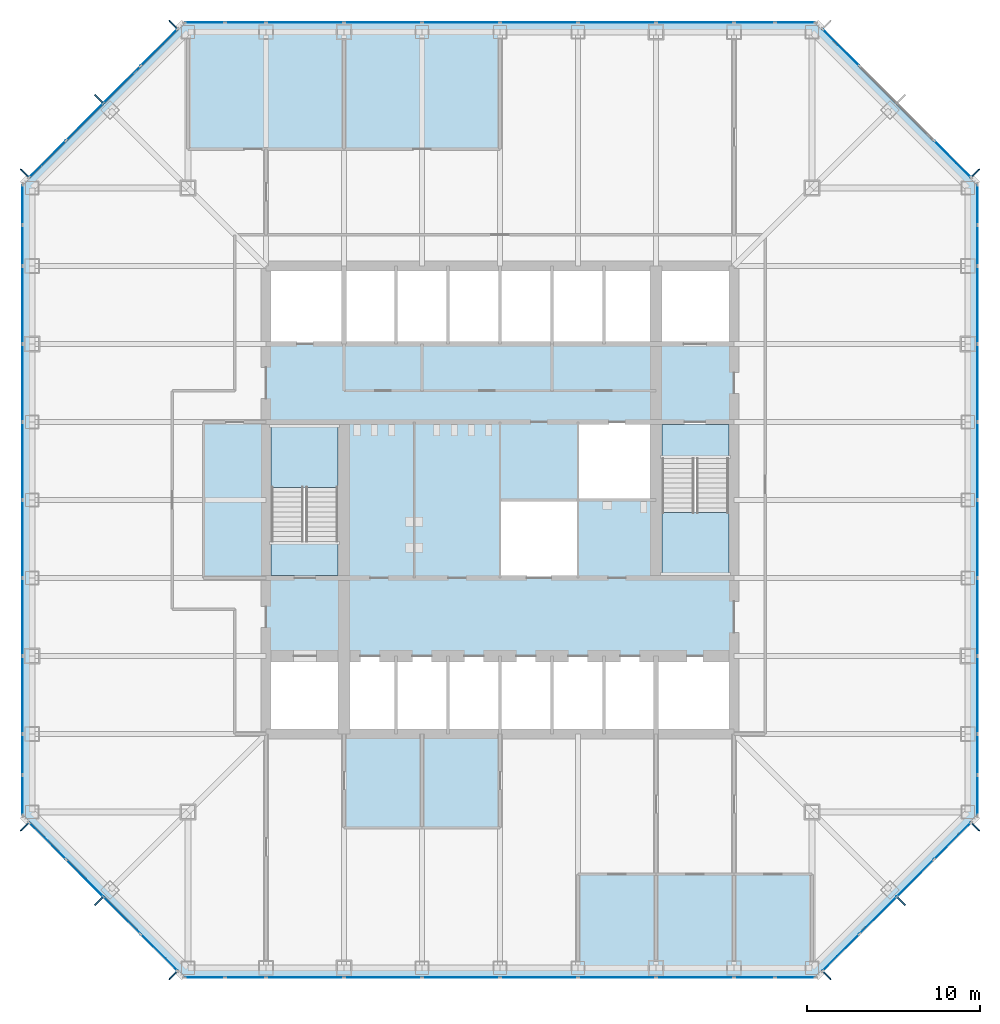
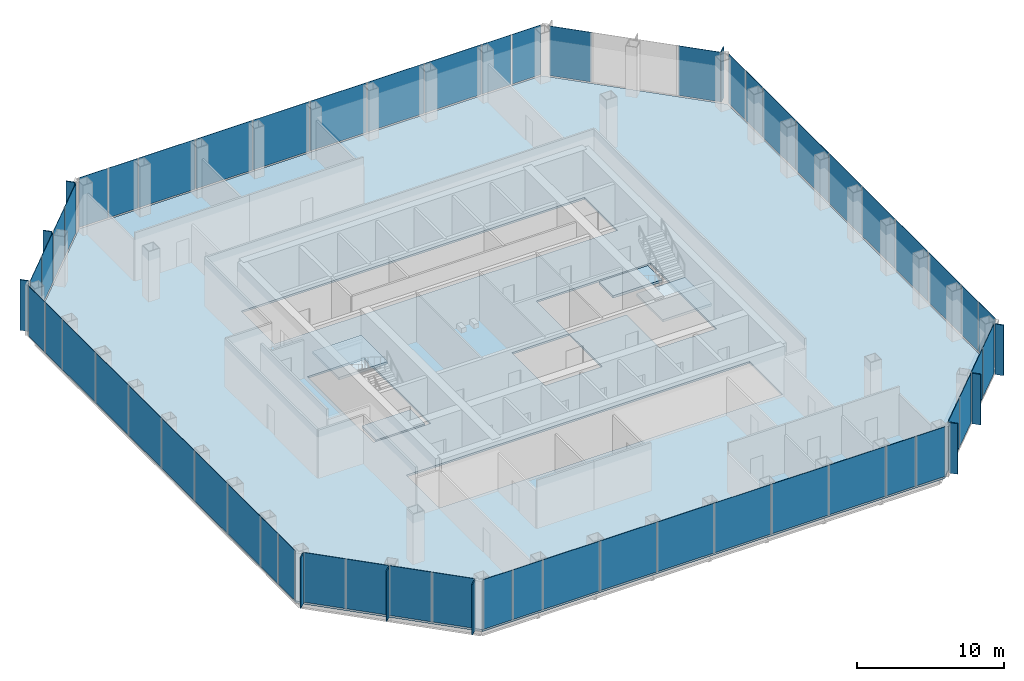
# One storey, part 7 of 12: 64 plates, 5 slabs, 10 elements without a shape of their own.
"""IFC4 building model written with IfcOpenShell, lengths in metres."""

from ifc_helpers import new_model, si_unit, direction, frame, origin, origin_2d, place, context, subcontext, project, spatial, polyline, rectangle, outline, extrude, material, layer, layer_set, type_object, element, aggregate, save


model = new_model("IFC4")

# Units and contexts
model_context = context("Model", 3, precision=1e-05, world=origin(), true_north=direction((0.0, 1.0)))
body_context = subcontext(model_context, "Body", "Model", "MODEL_VIEW")
ifc_project = project(units=[si_unit("LENGTHUNIT", "METRE"), si_unit("AREAUNIT", "SQUARE_METRE"), si_unit("VOLUMEUNIT", "CUBIC_METRE"), si_unit("PLANEANGLEUNIT", "RADIAN"), si_unit("MASSUNIT", "GRAM", prefix="KILO")], contexts=[model_context])

# Site, building, storey
site_placement = place(None, origin())
site = spatial("IfcSite", under=ifc_project, at=site_placement, CompositionType="ELEMENT")
building_placement = place(site_placement, origin())
building = spatial("IfcBuilding", under=site, at=building_placement, Name="Corais Broadcast Tower", CompositionType="ELEMENT")
storey_placement = place(building_placement, frame((0.0, 0.0, 45.800048828125)))
storey = spatial("IfcBuildingStorey", under=building, at=storey_placement, Name="L09", CompositionType="ELEMENT", Elevation=45.800048828125)

# Slab
ifc_material_1 = material(Name="Concrete C30/37", Category="concrete")
ifc_layer_1 = layer(ifc_material_1, 0.159912109375)
ifc_layer_set_1 = layer_set([ifc_layer_1], Name="Concrete C30/37")
slab_type_1 = type_object("IfcSlabType", Name="Composite floor slab 160", PredefinedType="FLOOR", material=ifc_layer_set_1)
slab_1_placement = place(storey_placement, frame((0.0, 0.0, -0.16015625)))
element("IfcSlab", 1, at=slab_1_placement, inside=storey, type_object=slab_type_1, Name="S160 floor slab L09", PredefinedType="FLOOR", context=body_context, shape_type="SweptSolid", body=[
    extrude(outline(polyline([(8.80126953125, -0.47998046875), (-0.47998046875, 8.80126953125), (-0.47998046875, 45.19873046875), (8.80126953125, 54.47998046875), (45.19873046875, 54.47998046875), (54.47998046875, 45.19873046875), (54.47998046875, 8.80126953125), (45.19873046875, -0.47998046875), (8.80126953125, -0.47998046875)]), holes=[polyline([(13.5, 18.0), (40.5, 18.0), (40.5, 13.5), (13.5, 13.5), (13.5, 18.0)]), polyline([(13.5, 22.5), (13.5, 31.5), (18.0, 31.5), (18.0, 22.5), (13.5, 22.5)]), polyline([(13.5, 40.5), (40.5, 40.5), (40.5, 36.0), (13.5, 36.0), (13.5, 40.5)]), polyline([(27.0, 22.5), (27.0, 27.0), (31.4951171875, 27.0), (31.4951171875, 27.0048828125), (31.5, 27.0048828125), (31.5, 31.5), (40.5, 31.5), (40.5, 22.5), (36.0, 22.5), (36.0, 27.0), (31.5048828125, 27.0), (31.5048828125, 26.9951171875), (31.5, 26.9951171875), (31.5, 22.5), (27.0, 22.5)])]), origin(), (0.0, 0.0, 1.0), 0.16015625),
])

# Curtain wall, plates
ifc_material_2 = material(Name="Aluminium and glass", Category="aluminium")
curtain_wall_type = type_object("IfcCurtainWallType", Name="Unitised fritted curtain wall CW1", PredefinedType="NOTDEFINED", material=ifc_material_2)
curtain_wall_1_placement = place(storey_placement, origin())
curtain_wall_1 = element("IfcCurtainWall", 2, at=curtain_wall_1_placement, inside=storey, type_object=curtain_wall_type, Name="CW1 curtain wall L09 1", PredefinedType="NOTDEFINED")
ifc_material_3 = material(Name="Ceramic-fritted laminated glass", Category="glass")
ifc_layer_2 = layer(ifc_material_3, 0.030029296875)
ifc_layer_set_2 = layer_set([ifc_layer_2], Name="Ceramic-fritted laminated glass")
plate_type_1 = type_object("IfcPlateType", Name="Fritted glass panel CW1", PredefinedType="CURTAIN_PANEL", material=ifc_layer_set_2)
plate_1_placement = place(storey_placement, frame((7.330322265625, 0.891845703125, 0.06494140625), z_axis=(0.0, 0.0, 1.0), x_axis=(-0.707106781187, 0.707106781187, 0.0)))
plate_1 = element("IfcPlate", 3, at=plate_1_placement, type_object=plate_type_1, Name="CW1 panel 1", PredefinedType="CURTAIN_PANEL", context=body_context, shape_type="SweptSolid", body=[
    extrude(rectangle(XDim=2.9482421875, YDim=0.030029296875, at=origin_2d()), origin(), (0.0, 0.0, 1.0), 4.135009765625),
])
plate_2_placement = place(storey_placement, frame((3.0341796875, 5.18798828125, 0.06494140625), z_axis=(0.0, 0.0, 1.0), x_axis=(-0.707106781187, 0.707106781187, 0.0)))
plate_2 = element("IfcPlate", 4, at=plate_2_placement, type_object=plate_type_1, Name="CW1 panel 3", PredefinedType="CURTAIN_PANEL", context=body_context, shape_type="SweptSolid", body=[
    extrude(rectangle(XDim=2.98095703125, YDim=0.030029296875, at=origin_2d()), origin(), (0.0, 0.0, 1.0), 4.135009765625),
])

curtain_wall_2_placement = place(storey_placement, origin())
curtain_wall_2 = element("IfcCurtainWall", 5, at=curtain_wall_2_placement, inside=storey, type_object=curtain_wall_type, Name="CW1 curtain wall L09 2", PredefinedType="NOTDEFINED")
plate_3_placement = place(storey_placement, frame((-0.550048828125, 9.970458984375, 0.06494140625), z_axis=(0.0, 0.0, 1.0), x_axis=(0.0, 1.0, 0.0)))
plate_3 = element("IfcPlate", 6, at=plate_3_placement, type_object=plate_type_1, Name="CW1 panel 1", PredefinedType="CURTAIN_PANEL", context=body_context, shape_type="SweptSolid", body=[
    extrude(rectangle(XDim=2.266357421875, YDim=0.030029296875, at=origin_2d()), origin(), (0.0, 0.0, 1.0), 4.135009765625),
])
plate_4_placement = place(storey_placement, frame((-0.550048828125, 15.75, 0.06494140625), z_axis=(0.0, 0.0, 1.0), x_axis=(0.0, 1.0, 0.0)))
plate_4 = element("IfcPlate", 7, at=plate_4_placement, type_object=plate_type_1, Name="CW1 panel 3", PredefinedType="CURTAIN_PANEL", context=body_context, shape_type="SweptSolid", body=[
    extrude(rectangle(XDim=4.43505859375, YDim=0.030029296875, at=origin_2d()), origin(), (0.0, 0.0, 1.0), 4.135009765625),
])
plate_5_placement = place(storey_placement, frame((-0.550048828125, 24.75, 0.06494140625), z_axis=(0.0, 0.0, 1.0), x_axis=(0.0, 1.0, 0.0)))
plate_5 = element("IfcPlate", 8, at=plate_5_placement, type_object=plate_type_1, Name="CW1 panel 5", PredefinedType="CURTAIN_PANEL", context=body_context, shape_type="SweptSolid", body=[
    extrude(rectangle(XDim=4.43505859375, YDim=0.030029296875, at=origin_2d()), origin(), (0.0, 0.0, 1.0), 4.135009765625),
])
plate_6_placement = place(storey_placement, frame((-0.550048828125, 33.75, 0.06494140625), z_axis=(0.0, 0.0, 1.0), x_axis=(0.0, 1.0, 0.0)))
plate_6 = element("IfcPlate", 9, at=plate_6_placement, type_object=plate_type_1, Name="CW1 panel 7", PredefinedType="CURTAIN_PANEL", context=body_context, shape_type="SweptSolid", body=[
    extrude(rectangle(XDim=4.43505859375, YDim=0.030029296875, at=origin_2d()), origin(), (0.0, 0.0, 1.0), 4.135009765625),
])
plate_7_placement = place(storey_placement, frame((-0.550048828125, 41.681884765625, 0.06494140625), z_axis=(0.0, 0.0, 1.0), x_axis=(0.0, 1.0, 0.0)))
plate_7 = element("IfcPlate", 10, at=plate_7_placement, type_object=plate_type_1, Name="CW1 panel 9", PredefinedType="CURTAIN_PANEL", context=body_context, shape_type="SweptSolid", body=[
    extrude(rectangle(XDim=2.298828125, YDim=0.030029296875, at=origin_2d()), origin(), (0.0, 0.0, 1.0), 4.135009765625),
])

curtain_wall_3_placement = place(storey_placement, origin())
curtain_wall_3 = element("IfcCurtainWall", 11, at=curtain_wall_3_placement, inside=storey, type_object=curtain_wall_type, Name="CW1 curtain wall L09 3", PredefinedType="NOTDEFINED")
plate_8_placement = place(storey_placement, frame((0.891845703125, 46.669677734375, 0.06494140625), z_axis=(0.0, 0.0, 1.0), x_axis=(0.707106781187, 0.707106781187, 0.0)))
plate_8 = element("IfcPlate", 12, at=plate_8_placement, type_object=plate_type_1, Name="CW1 panel 1", PredefinedType="CURTAIN_PANEL", context=body_context, shape_type="SweptSolid", body=[
    extrude(rectangle(XDim=2.9482421875, YDim=0.030029296875, at=origin_2d()), origin(), (0.0, 0.0, 1.0), 4.135009765625),
])
plate_9_placement = place(storey_placement, frame((5.18798828125, 50.9658203125, 0.06494140625), z_axis=(0.0, 0.0, 1.0), x_axis=(0.707106781187, 0.707106781187, 0.0)))
plate_9 = element("IfcPlate", 13, at=plate_9_placement, type_object=plate_type_1, Name="CW1 panel 3", PredefinedType="CURTAIN_PANEL", context=body_context, shape_type="SweptSolid", body=[
    extrude(rectangle(XDim=2.98095703125, YDim=0.030029296875, at=origin_2d()), origin(), (0.0, 0.0, 1.0), 4.135009765625),
])

curtain_wall_4_placement = place(storey_placement, origin())
curtain_wall_4 = element("IfcCurtainWall", 14, at=curtain_wall_4_placement, inside=storey, type_object=curtain_wall_type, Name="CW1 curtain wall L09 4", PredefinedType="NOTDEFINED")
plate_10_placement = place(storey_placement, frame((9.970458984375, 54.550048828125, 0.06494140625), z_axis=(0.0, 0.0, 1.0), x_axis=(1.0, 0.0, 0.0)))
plate_10 = element("IfcPlate", 15, at=plate_10_placement, type_object=plate_type_1, Name="CW1 panel 1", PredefinedType="CURTAIN_PANEL", context=body_context, shape_type="SweptSolid", body=[
    extrude(rectangle(XDim=2.266357421875, YDim=0.030029296875, at=origin_2d()), origin(), (0.0, 0.0, 1.0), 4.135009765625),
])
plate_11_placement = place(storey_placement, frame((15.75, 54.550048828125, 0.06494140625), z_axis=(0.0, 0.0, 1.0), x_axis=(1.0, 0.0, 0.0)))
plate_11 = element("IfcPlate", 16, at=plate_11_placement, type_object=plate_type_1, Name="CW1 panel 3", PredefinedType="CURTAIN_PANEL", context=body_context, shape_type="SweptSolid", body=[
    extrude(rectangle(XDim=4.43505859375, YDim=0.030029296875, at=origin_2d()), origin(), (0.0, 0.0, 1.0), 4.135009765625),
])
plate_12_placement = place(storey_placement, frame((24.75, 54.550048828125, 0.06494140625), z_axis=(0.0, 0.0, 1.0), x_axis=(1.0, 0.0, 0.0)))
plate_12 = element("IfcPlate", 17, at=plate_12_placement, type_object=plate_type_1, Name="CW1 panel 5", PredefinedType="CURTAIN_PANEL", context=body_context, shape_type="SweptSolid", body=[
    extrude(rectangle(XDim=4.43505859375, YDim=0.030029296875, at=origin_2d()), origin(), (0.0, 0.0, 1.0), 4.135009765625),
])
plate_13_placement = place(storey_placement, frame((33.75, 54.550048828125, 0.06494140625), z_axis=(0.0, 0.0, 1.0), x_axis=(1.0, 0.0, 0.0)))
plate_13 = element("IfcPlate", 18, at=plate_13_placement, type_object=plate_type_1, Name="CW1 panel 7", PredefinedType="CURTAIN_PANEL", context=body_context, shape_type="SweptSolid", body=[
    extrude(rectangle(XDim=4.43505859375, YDim=0.030029296875, at=origin_2d()), origin(), (0.0, 0.0, 1.0), 4.135009765625),
])
plate_14_placement = place(storey_placement, frame((41.681884765625, 54.550048828125, 0.06494140625), z_axis=(0.0, 0.0, 1.0), x_axis=(1.0, 0.0, 0.0)))
plate_14 = element("IfcPlate", 19, at=plate_14_placement, type_object=plate_type_1, Name="CW1 panel 9", PredefinedType="CURTAIN_PANEL", context=body_context, shape_type="SweptSolid", body=[
    extrude(rectangle(XDim=2.298828125, YDim=0.030029296875, at=origin_2d()), origin(), (0.0, 0.0, 1.0), 4.135009765625),
])

# Curtain wall, plate
curtain_wall_5_placement = place(storey_placement, origin())
curtain_wall_5 = element("IfcCurtainWall", 20, at=curtain_wall_5_placement, inside=storey, type_object=curtain_wall_type, Name="CW1 curtain wall L09 5", PredefinedType="NOTDEFINED")
plate_15_placement = place(storey_placement, frame((46.669677734375, 53.108154296875, 0.06494140625), z_axis=(0.0, 0.0, 1.0), x_axis=(0.707106781187, -0.707106781187, 0.0)))
plate_15 = element("IfcPlate", 21, at=plate_15_placement, type_object=plate_type_1, Name="CW1 panel 1", PredefinedType="CURTAIN_PANEL", context=body_context, shape_type="SweptSolid", body=[
    extrude(rectangle(XDim=2.9482421875, YDim=0.030029296875, at=origin_2d()), origin(), (0.0, 0.0, 1.0), 4.135009765625),
])

# Curtain wall, plates
curtain_wall_6_placement = place(storey_placement, origin())
curtain_wall_6 = element("IfcCurtainWall", 22, at=curtain_wall_6_placement, inside=storey, type_object=curtain_wall_type, Name="CW1 curtain wall L09 6", PredefinedType="NOTDEFINED")
plate_16_placement = place(storey_placement, frame((54.550048828125, 44.029541015625, 0.06494140625), z_axis=(0.0, 0.0, 1.0), x_axis=(0.0, -1.0, 0.0)))
plate_16 = element("IfcPlate", 23, at=plate_16_placement, type_object=plate_type_1, Name="CW1 panel 1", PredefinedType="CURTAIN_PANEL", context=body_context, shape_type="SweptSolid", body=[
    extrude(rectangle(XDim=2.266357421875, YDim=0.030029296875, at=origin_2d()), origin(), (0.0, 0.0, 1.0), 4.135009765625),
])
plate_17_placement = place(storey_placement, frame((54.550048828125, 38.25, 0.06494140625), z_axis=(0.0, 0.0, 1.0), x_axis=(0.0, -1.0, 0.0)))
plate_17 = element("IfcPlate", 24, at=plate_17_placement, type_object=plate_type_1, Name="CW1 panel 3", PredefinedType="CURTAIN_PANEL", context=body_context, shape_type="SweptSolid", body=[
    extrude(rectangle(XDim=4.43505859375, YDim=0.030029296875, at=origin_2d()), origin(), (0.0, 0.0, 1.0), 4.135009765625),
])
plate_18_placement = place(storey_placement, frame((54.550048828125, 29.25, 0.06494140625), z_axis=(0.0, 0.0, 1.0), x_axis=(0.0, -1.0, 0.0)))
plate_18 = element("IfcPlate", 25, at=plate_18_placement, type_object=plate_type_1, Name="CW1 panel 5", PredefinedType="CURTAIN_PANEL", context=body_context, shape_type="SweptSolid", body=[
    extrude(rectangle(XDim=4.43505859375, YDim=0.030029296875, at=origin_2d()), origin(), (0.0, 0.0, 1.0), 4.135009765625),
])
plate_19_placement = place(storey_placement, frame((54.550048828125, 20.25, 0.06494140625), z_axis=(0.0, 0.0, 1.0), x_axis=(0.0, -1.0, 0.0)))
plate_19 = element("IfcPlate", 26, at=plate_19_placement, type_object=plate_type_1, Name="CW1 panel 7", PredefinedType="CURTAIN_PANEL", context=body_context, shape_type="SweptSolid", body=[
    extrude(rectangle(XDim=4.43505859375, YDim=0.030029296875, at=origin_2d()), origin(), (0.0, 0.0, 1.0), 4.135009765625),
])
plate_20_placement = place(storey_placement, frame((54.550048828125, 12.318115234375, 0.06494140625), z_axis=(0.0, 0.0, 1.0), x_axis=(0.0, -1.0, 0.0)))
plate_20 = element("IfcPlate", 27, at=plate_20_placement, type_object=plate_type_1, Name="CW1 panel 9", PredefinedType="CURTAIN_PANEL", context=body_context, shape_type="SweptSolid", body=[
    extrude(rectangle(XDim=2.298828125, YDim=0.030029296875, at=origin_2d()), origin(), (0.0, 0.0, 1.0), 4.135009765625),
])

curtain_wall_7_placement = place(storey_placement, origin())
curtain_wall_7 = element("IfcCurtainWall", 28, at=curtain_wall_7_placement, inside=storey, type_object=curtain_wall_type, Name="CW1 curtain wall L09 7", PredefinedType="NOTDEFINED")
plate_21_placement = place(storey_placement, frame((53.108154296875, 7.330322265625, 0.06494140625), z_axis=(0.0, 0.0, 1.0), x_axis=(-0.707106781187, -0.707106781187, 0.0)))
plate_21 = element("IfcPlate", 29, at=plate_21_placement, type_object=plate_type_1, Name="CW1 panel 1", PredefinedType="CURTAIN_PANEL", context=body_context, shape_type="SweptSolid", body=[
    extrude(rectangle(XDim=2.9482421875, YDim=0.030029296875, at=origin_2d()), origin(), (0.0, 0.0, 1.0), 4.135009765625),
])
plate_22_placement = place(storey_placement, frame((48.81201171875, 3.0341796875, 0.06494140625), z_axis=(0.0, 0.0, 1.0), x_axis=(-0.707106781187, -0.707106781187, 0.0)))
plate_22 = element("IfcPlate", 30, at=plate_22_placement, type_object=plate_type_1, Name="CW1 panel 3", PredefinedType="CURTAIN_PANEL", context=body_context, shape_type="SweptSolid", body=[
    extrude(rectangle(XDim=2.98095703125, YDim=0.030029296875, at=origin_2d()), origin(), (0.0, 0.0, 1.0), 4.135009765625),
])

curtain_wall_8_placement = place(storey_placement, origin())
curtain_wall_8 = element("IfcCurtainWall", 31, at=curtain_wall_8_placement, inside=storey, type_object=curtain_wall_type, Name="CW1 curtain wall L09 8", PredefinedType="NOTDEFINED")
plate_23_placement = place(storey_placement, frame((44.029541015625, -0.550048828125, 0.06494140625), z_axis=(0.0, 0.0, 1.0), x_axis=(-1.0, 0.0, 0.0)))
plate_23 = element("IfcPlate", 32, at=plate_23_placement, type_object=plate_type_1, Name="CW1 panel 1", PredefinedType="CURTAIN_PANEL", context=body_context, shape_type="SweptSolid", body=[
    extrude(rectangle(XDim=2.266357421875, YDim=0.030029296875, at=origin_2d()), origin(), (0.0, 0.0, 1.0), 4.135009765625),
])
plate_24_placement = place(storey_placement, frame((38.25, -0.550048828125, 0.06494140625), z_axis=(0.0, 0.0, 1.0), x_axis=(-1.0, 0.0, 0.0)))
plate_24 = element("IfcPlate", 33, at=plate_24_placement, type_object=plate_type_1, Name="CW1 panel 3", PredefinedType="CURTAIN_PANEL", context=body_context, shape_type="SweptSolid", body=[
    extrude(rectangle(XDim=4.43505859375, YDim=0.030029296875, at=origin_2d()), origin(), (0.0, 0.0, 1.0), 4.135009765625),
])
plate_25_placement = place(storey_placement, frame((29.25, -0.550048828125, 0.06494140625), z_axis=(0.0, 0.0, 1.0), x_axis=(-1.0, 0.0, 0.0)))
plate_25 = element("IfcPlate", 34, at=plate_25_placement, type_object=plate_type_1, Name="CW1 panel 5", PredefinedType="CURTAIN_PANEL", context=body_context, shape_type="SweptSolid", body=[
    extrude(rectangle(XDim=4.43505859375, YDim=0.030029296875, at=origin_2d()), origin(), (0.0, 0.0, 1.0), 4.135009765625),
])
plate_26_placement = place(storey_placement, frame((20.25, -0.550048828125, 0.06494140625), z_axis=(0.0, 0.0, 1.0), x_axis=(-1.0, 0.0, 0.0)))
plate_26 = element("IfcPlate", 35, at=plate_26_placement, type_object=plate_type_1, Name="CW1 panel 7", PredefinedType="CURTAIN_PANEL", context=body_context, shape_type="SweptSolid", body=[
    extrude(rectangle(XDim=4.43505859375, YDim=0.030029296875, at=origin_2d()), origin(), (0.0, 0.0, 1.0), 4.135009765625),
])
plate_27_placement = place(storey_placement, frame((12.318115234375, -0.550048828125, 0.06494140625), z_axis=(0.0, 0.0, 1.0), x_axis=(-1.0, 0.0, 0.0)))
plate_27 = element("IfcPlate", 36, at=plate_27_placement, type_object=plate_type_1, Name="CW1 panel 9", PredefinedType="CURTAIN_PANEL", context=body_context, shape_type="SweptSolid", body=[
    extrude(rectangle(XDim=2.298828125, YDim=0.030029296875, at=origin_2d()), origin(), (0.0, 0.0, 1.0), 4.135009765625),
])

# Plate
ifc_material_4 = material(Name="Clear laminated glass", Category="glass")
ifc_layer_3 = layer(ifc_material_4, 0.033935546875)
ifc_layer_set_3 = layer_set([ifc_layer_3], Name="Clear laminated glass")
plate_type_2 = type_object("IfcPlateType", Name="Operable glass panel CW1", PredefinedType="CURTAIN_PANEL", material=ifc_layer_set_3)
plate_28_placement = place(storey_placement, frame((5.18798828125, 3.0341796875, 0.06494140625), z_axis=(0.0, 0.0, 1.0), x_axis=(-0.707106781187, 0.707106781187, 0.0)))
plate_28 = element("IfcPlate", 37, at=plate_28_placement, type_object=plate_type_2, Name="CW1 operable panel 2", PredefinedType="CURTAIN_PANEL", context=body_context, shape_type="SweptSolid", body=[
    extrude(rectangle(XDim=2.98095703125, YDim=0.033935546875, at=origin_2d()), origin(), (0.0, 0.0, 1.0), 4.135009765625),
])

plate_29_placement = place(storey_placement, frame((0.89208984375, 7.330322265625, 0.06494140625), z_axis=(0.0, 0.0, 1.0), x_axis=(-0.707106781187, 0.707106781187, 0.0)))
plate_29 = element("IfcPlate", 38, at=plate_29_placement, type_object=plate_type_2, Name="CW1 operable panel 4", PredefinedType="CURTAIN_PANEL", context=body_context, shape_type="SweptSolid", body=[
    extrude(rectangle(XDim=2.948486328125, YDim=0.033935546875, at=origin_2d()), origin(), (0.0, 0.0, 1.0), 4.135009765625),
])

aggregate(curtain_wall_1, [plate_1, plate_28, plate_2, plate_29])

plate_30_placement = place(storey_placement, frame((-0.550048828125, 12.318115234375, 0.06494140625), z_axis=(0.0, 0.0, 1.0), x_axis=(0.0, 1.0, 0.0)))
plate_30 = element("IfcPlate", 39, at=plate_30_placement, type_object=plate_type_2, Name="CW1 operable panel 2", PredefinedType="CURTAIN_PANEL", context=body_context, shape_type="SweptSolid", body=[
    extrude(rectangle(XDim=2.298828125, YDim=0.033935546875, at=origin_2d()), origin(), (0.0, 0.0, 1.0), 4.135009765625),
])

plate_31_placement = place(storey_placement, frame((-0.550048828125, 20.25, 0.06494140625), z_axis=(0.0, 0.0, 1.0), x_axis=(0.0, 1.0, 0.0)))
plate_31 = element("IfcPlate", 40, at=plate_31_placement, type_object=plate_type_2, Name="CW1 operable panel 4", PredefinedType="CURTAIN_PANEL", context=body_context, shape_type="SweptSolid", body=[
    extrude(rectangle(XDim=4.43505859375, YDim=0.033935546875, at=origin_2d()), origin(), (0.0, 0.0, 1.0), 4.135009765625),
])

plate_32_placement = place(storey_placement, frame((-0.550048828125, 29.25, 0.06494140625), z_axis=(0.0, 0.0, 1.0), x_axis=(0.0, 1.0, 0.0)))
plate_32 = element("IfcPlate", 41, at=plate_32_placement, type_object=plate_type_2, Name="CW1 operable panel 6", PredefinedType="CURTAIN_PANEL", context=body_context, shape_type="SweptSolid", body=[
    extrude(rectangle(XDim=4.43505859375, YDim=0.033935546875, at=origin_2d()), origin(), (0.0, 0.0, 1.0), 4.135009765625),
])

plate_33_placement = place(storey_placement, frame((-0.550048828125, 38.25, 0.06494140625), z_axis=(0.0, 0.0, 1.0), x_axis=(0.0, 1.0, 0.0)))
plate_33 = element("IfcPlate", 42, at=plate_33_placement, type_object=plate_type_2, Name="CW1 operable panel 8", PredefinedType="CURTAIN_PANEL", context=body_context, shape_type="SweptSolid", body=[
    extrude(rectangle(XDim=4.43505859375, YDim=0.033935546875, at=origin_2d()), origin(), (0.0, 0.0, 1.0), 4.135009765625),
])

plate_34_placement = place(storey_placement, frame((-0.550048828125, 44.029541015625, 0.06494140625), z_axis=(0.0, 0.0, 1.0), x_axis=(0.0, 1.0, 0.0)))
plate_34 = element("IfcPlate", 43, at=plate_34_placement, type_object=plate_type_2, Name="CW1 operable panel 10", PredefinedType="CURTAIN_PANEL", context=body_context, shape_type="SweptSolid", body=[
    extrude(rectangle(XDim=2.266357421875, YDim=0.033935546875, at=origin_2d()), origin(), (0.0, 0.0, 1.0), 4.135009765625),
])

aggregate(curtain_wall_2, [plate_3, plate_30, plate_4, plate_31, plate_5, plate_32, plate_6, plate_33, plate_7, plate_34])

plate_35_placement = place(storey_placement, frame((3.0341796875, 48.81201171875, 0.06494140625), z_axis=(0.0, 0.0, 1.0), x_axis=(0.707106781187, 0.707106781187, 0.0)))
plate_35 = element("IfcPlate", 44, at=plate_35_placement, type_object=plate_type_2, Name="CW1 operable panel 2", PredefinedType="CURTAIN_PANEL", context=body_context, shape_type="SweptSolid", body=[
    extrude(rectangle(XDim=2.98095703125, YDim=0.033935546875, at=origin_2d()), origin(), (0.0, 0.0, 1.0), 4.135009765625),
])

plate_36_placement = place(storey_placement, frame((7.330322265625, 53.10791015625, 0.06494140625), z_axis=(0.0, 0.0, 1.0), x_axis=(0.707106781187, 0.707106781187, 0.0)))
plate_36 = element("IfcPlate", 45, at=plate_36_placement, type_object=plate_type_2, Name="CW1 operable panel 4", PredefinedType="CURTAIN_PANEL", context=body_context, shape_type="SweptSolid", body=[
    extrude(rectangle(XDim=2.948486328125, YDim=0.033935546875, at=origin_2d()), origin(), (0.0, 0.0, 1.0), 4.135009765625),
])

aggregate(curtain_wall_3, [plate_8, plate_35, plate_9, plate_36])

plate_37_placement = place(storey_placement, frame((12.318115234375, 54.550048828125, 0.06494140625), z_axis=(0.0, 0.0, 1.0), x_axis=(1.0, 0.0, 0.0)))
plate_37 = element("IfcPlate", 46, at=plate_37_placement, type_object=plate_type_2, Name="CW1 operable panel 2", PredefinedType="CURTAIN_PANEL", context=body_context, shape_type="SweptSolid", body=[
    extrude(rectangle(XDim=2.298828125, YDim=0.033935546875, at=origin_2d()), origin(), (0.0, 0.0, 1.0), 4.135009765625),
])

plate_38_placement = place(storey_placement, frame((20.25, 54.550048828125, 0.06494140625), z_axis=(0.0, 0.0, 1.0), x_axis=(1.0, 0.0, 0.0)))
plate_38 = element("IfcPlate", 47, at=plate_38_placement, type_object=plate_type_2, Name="CW1 operable panel 4", PredefinedType="CURTAIN_PANEL", context=body_context, shape_type="SweptSolid", body=[
    extrude(rectangle(XDim=4.43505859375, YDim=0.033935546875, at=origin_2d()), origin(), (0.0, 0.0, 1.0), 4.135009765625),
])

plate_39_placement = place(storey_placement, frame((29.25, 54.550048828125, 0.06494140625), z_axis=(0.0, 0.0, 1.0), x_axis=(1.0, 0.0, 0.0)))
plate_39 = element("IfcPlate", 48, at=plate_39_placement, type_object=plate_type_2, Name="CW1 operable panel 6", PredefinedType="CURTAIN_PANEL", context=body_context, shape_type="SweptSolid", body=[
    extrude(rectangle(XDim=4.43505859375, YDim=0.033935546875, at=origin_2d()), origin(), (0.0, 0.0, 1.0), 4.135009765625),
])

plate_40_placement = place(storey_placement, frame((38.25, 54.550048828125, 0.06494140625), z_axis=(0.0, 0.0, 1.0), x_axis=(1.0, 0.0, 0.0)))
plate_40 = element("IfcPlate", 49, at=plate_40_placement, type_object=plate_type_2, Name="CW1 operable panel 8", PredefinedType="CURTAIN_PANEL", context=body_context, shape_type="SweptSolid", body=[
    extrude(rectangle(XDim=4.43505859375, YDim=0.033935546875, at=origin_2d()), origin(), (0.0, 0.0, 1.0), 4.135009765625),
])

plate_41_placement = place(storey_placement, frame((44.029541015625, 54.550048828125, 0.06494140625), z_axis=(0.0, 0.0, 1.0), x_axis=(1.0, 0.0, 0.0)))
plate_41 = element("IfcPlate", 50, at=plate_41_placement, type_object=plate_type_2, Name="CW1 operable panel 10", PredefinedType="CURTAIN_PANEL", context=body_context, shape_type="SweptSolid", body=[
    extrude(rectangle(XDim=2.266357421875, YDim=0.033935546875, at=origin_2d()), origin(), (0.0, 0.0, 1.0), 4.135009765625),
])

aggregate(curtain_wall_4, [plate_10, plate_37, plate_11, plate_38, plate_12, plate_39, plate_13, plate_40, plate_14, plate_41])

plate_42_placement = place(storey_placement, frame((53.10791015625, 46.669677734375, 0.06494140625), z_axis=(0.0, 0.0, 1.0), x_axis=(0.707106781187, -0.707106781187, 0.0)))
plate_42 = element("IfcPlate", 51, at=plate_42_placement, type_object=plate_type_2, Name="CW1 operable panel 4", PredefinedType="CURTAIN_PANEL", context=body_context, shape_type="SweptSolid", body=[
    extrude(rectangle(XDim=2.948486328125, YDim=0.033935546875, at=origin_2d()), origin(), (0.0, 0.0, 1.0), 4.135009765625),
])

aggregate(curtain_wall_5, [plate_15, plate_42])

plate_43_placement = place(storey_placement, frame((54.550048828125, 41.681884765625, 0.06494140625), z_axis=(0.0, 0.0, 1.0), x_axis=(0.0, -1.0, 0.0)))
plate_43 = element("IfcPlate", 52, at=plate_43_placement, type_object=plate_type_2, Name="CW1 operable panel 2", PredefinedType="CURTAIN_PANEL", context=body_context, shape_type="SweptSolid", body=[
    extrude(rectangle(XDim=2.298828125, YDim=0.033935546875, at=origin_2d()), origin(), (0.0, 0.0, 1.0), 4.135009765625),
])

plate_44_placement = place(storey_placement, frame((54.550048828125, 33.75, 0.06494140625), z_axis=(0.0, 0.0, 1.0), x_axis=(0.0, -1.0, 0.0)))
plate_44 = element("IfcPlate", 53, at=plate_44_placement, type_object=plate_type_2, Name="CW1 operable panel 4", PredefinedType="CURTAIN_PANEL", context=body_context, shape_type="SweptSolid", body=[
    extrude(rectangle(XDim=4.43505859375, YDim=0.033935546875, at=origin_2d()), origin(), (0.0, 0.0, 1.0), 4.135009765625),
])

plate_45_placement = place(storey_placement, frame((54.550048828125, 24.75, 0.06494140625), z_axis=(0.0, 0.0, 1.0), x_axis=(0.0, -1.0, 0.0)))
plate_45 = element("IfcPlate", 54, at=plate_45_placement, type_object=plate_type_2, Name="CW1 operable panel 6", PredefinedType="CURTAIN_PANEL", context=body_context, shape_type="SweptSolid", body=[
    extrude(rectangle(XDim=4.43505859375, YDim=0.033935546875, at=origin_2d()), origin(), (0.0, 0.0, 1.0), 4.135009765625),
])

plate_46_placement = place(storey_placement, frame((54.550048828125, 15.75, 0.06494140625), z_axis=(0.0, 0.0, 1.0), x_axis=(0.0, -1.0, 0.0)))
plate_46 = element("IfcPlate", 55, at=plate_46_placement, type_object=plate_type_2, Name="CW1 operable panel 8", PredefinedType="CURTAIN_PANEL", context=body_context, shape_type="SweptSolid", body=[
    extrude(rectangle(XDim=4.43505859375, YDim=0.033935546875, at=origin_2d()), origin(), (0.0, 0.0, 1.0), 4.135009765625),
])

plate_47_placement = place(storey_placement, frame((54.550048828125, 9.970458984375, 0.06494140625), z_axis=(0.0, 0.0, 1.0), x_axis=(0.0, -1.0, 0.0)))
plate_47 = element("IfcPlate", 56, at=plate_47_placement, type_object=plate_type_2, Name="CW1 operable panel 10", PredefinedType="CURTAIN_PANEL", context=body_context, shape_type="SweptSolid", body=[
    extrude(rectangle(XDim=2.266357421875, YDim=0.033935546875, at=origin_2d()), origin(), (0.0, 0.0, 1.0), 4.135009765625),
])

aggregate(curtain_wall_6, [plate_16, plate_43, plate_17, plate_44, plate_18, plate_45, plate_19, plate_46, plate_20, plate_47])

plate_48_placement = place(storey_placement, frame((50.9658203125, 5.18798828125, 0.06494140625), z_axis=(0.0, 0.0, 1.0), x_axis=(-0.707106781187, -0.707106781187, 0.0)))
plate_48 = element("IfcPlate", 57, at=plate_48_placement, type_object=plate_type_2, Name="CW1 operable panel 2", PredefinedType="CURTAIN_PANEL", context=body_context, shape_type="SweptSolid", body=[
    extrude(rectangle(XDim=2.98095703125, YDim=0.033935546875, at=origin_2d()), origin(), (0.0, 0.0, 1.0), 4.135009765625),
])

plate_49_placement = place(storey_placement, frame((46.669677734375, 0.89208984375, 0.06494140625), z_axis=(0.0, 0.0, 1.0), x_axis=(-0.707106781187, -0.707106781187, 0.0)))
plate_49 = element("IfcPlate", 58, at=plate_49_placement, type_object=plate_type_2, Name="CW1 operable panel 4", PredefinedType="CURTAIN_PANEL", context=body_context, shape_type="SweptSolid", body=[
    extrude(rectangle(XDim=2.948486328125, YDim=0.033935546875, at=origin_2d()), origin(), (0.0, 0.0, 1.0), 4.135009765625),
])

aggregate(curtain_wall_7, [plate_21, plate_48, plate_22, plate_49])

plate_50_placement = place(storey_placement, frame((41.681884765625, -0.550048828125, 0.06494140625), z_axis=(0.0, 0.0, 1.0), x_axis=(-1.0, 0.0, 0.0)))
plate_50 = element("IfcPlate", 59, at=plate_50_placement, type_object=plate_type_2, Name="CW1 operable panel 2", PredefinedType="CURTAIN_PANEL", context=body_context, shape_type="SweptSolid", body=[
    extrude(rectangle(XDim=2.298828125, YDim=0.033935546875, at=origin_2d()), origin(), (0.0, 0.0, 1.0), 4.135009765625),
])

plate_51_placement = place(storey_placement, frame((33.75, -0.550048828125, 0.06494140625), z_axis=(0.0, 0.0, 1.0), x_axis=(-1.0, 0.0, 0.0)))
plate_51 = element("IfcPlate", 60, at=plate_51_placement, type_object=plate_type_2, Name="CW1 operable panel 4", PredefinedType="CURTAIN_PANEL", context=body_context, shape_type="SweptSolid", body=[
    extrude(rectangle(XDim=4.43505859375, YDim=0.033935546875, at=origin_2d()), origin(), (0.0, 0.0, 1.0), 4.135009765625),
])

plate_52_placement = place(storey_placement, frame((24.75, -0.550048828125, 0.06494140625), z_axis=(0.0, 0.0, 1.0), x_axis=(-1.0, 0.0, 0.0)))
plate_52 = element("IfcPlate", 61, at=plate_52_placement, type_object=plate_type_2, Name="CW1 operable panel 6", PredefinedType="CURTAIN_PANEL", context=body_context, shape_type="SweptSolid", body=[
    extrude(rectangle(XDim=4.43505859375, YDim=0.033935546875, at=origin_2d()), origin(), (0.0, 0.0, 1.0), 4.135009765625),
])

plate_53_placement = place(storey_placement, frame((15.75, -0.550048828125, 0.06494140625), z_axis=(0.0, 0.0, 1.0), x_axis=(-1.0, 0.0, 0.0)))
plate_53 = element("IfcPlate", 62, at=plate_53_placement, type_object=plate_type_2, Name="CW1 operable panel 8", PredefinedType="CURTAIN_PANEL", context=body_context, shape_type="SweptSolid", body=[
    extrude(rectangle(XDim=4.43505859375, YDim=0.033935546875, at=origin_2d()), origin(), (0.0, 0.0, 1.0), 4.135009765625),
])

plate_54_placement = place(storey_placement, frame((9.970458984375, -0.550048828125, 0.06494140625), z_axis=(0.0, 0.0, 1.0), x_axis=(-1.0, 0.0, 0.0)))
plate_54 = element("IfcPlate", 63, at=plate_54_placement, type_object=plate_type_2, Name="CW1 operable panel 10", PredefinedType="CURTAIN_PANEL", context=body_context, shape_type="SweptSolid", body=[
    extrude(rectangle(XDim=2.266357421875, YDim=0.033935546875, at=origin_2d()), origin(), (0.0, 0.0, 1.0), 4.135009765625),
])

aggregate(curtain_wall_8, [plate_23, plate_50, plate_24, plate_51, plate_25, plate_52, plate_26, plate_53, plate_27, plate_54])

# Stair, slabs
ifc_material_5 = material(Name="Concrete C30/37", Category="concrete")
stair_type = type_object("IfcStairType", Name="Half-turn stair 4200", PredefinedType="HALF_TURN_STAIR", material=ifc_material_5)
stair_1_placement = place(storey_placement, origin())
stair_1 = element("IfcStair", 64, at=stair_1_placement, inside=storey, type_object=stair_type, Name="Stair A L09", PredefinedType="HALF_TURN_STAIR")
ifc_material_6 = material(Name="Concrete C30/37", Category="concrete")
ifc_layer_4 = layer(ifc_material_6, 0.199951171875)
ifc_layer_set_4 = layer_set([ifc_layer_4], Name="Concrete C30/37")
slab_type_2 = type_object("IfcSlabType", Name="Stair landing 200", PredefinedType="LANDING", material=ifc_layer_set_4)
slab_2_placement = place(storey_placement, frame((0.0, 0.0, -0.199951171875)))
slab_2 = element("IfcSlab", 65, at=slab_2_placement, type_object=slab_type_2, Name="STA landing 1", PredefinedType="LANDING", context=body_context, shape_type="SweptSolid", body=[
    extrude(outline(polyline([(13.800048828125, 22.64990234375), (17.64990234375, 22.64990234375), (17.64990234375, 24.60009765625), (13.800048828125, 24.60009765625), (13.800048828125, 22.64990234375)])), origin(), (0.0, 0.0, 1.0), 0.199951171875),
])
slab_3_placement = place(storey_placement, frame((0.0, 0.0, 1.89990234375)))
slab_3 = element("IfcSlab", 66, at=slab_3_placement, type_object=slab_type_2, Name="STA landing 2", PredefinedType="LANDING", context=body_context, shape_type="SweptSolid", body=[
    extrude(outline(polyline([(13.800048828125, 27.735107421875), (17.64990234375, 27.735107421875), (17.64990234375, 31.35009765625), (13.800048828125, 31.35009765625), (13.800048828125, 27.735107421875)])), origin(), (0.0, 0.0, 1.0), 0.199951171875),
])
aggregate(stair_1, [slab_2, slab_3])

stair_2_placement = place(storey_placement, origin())
stair_2 = element("IfcStair", 67, at=stair_2_placement, inside=storey, type_object=stair_type, Name="Stair B L09", PredefinedType="HALF_TURN_STAIR")
slab_4_placement = place(storey_placement, frame((0.0, 0.0, -0.199951171875)))
slab_4 = element("IfcSlab", 68, at=slab_4_placement, type_object=slab_type_2, Name="STB landing 1", PredefinedType="LANDING", context=body_context, shape_type="SweptSolid", body=[
    extrude(outline(polyline([(36.35009765625, 29.39990234375), (40.199951171875, 29.39990234375), (40.199951171875, 31.35009765625), (36.35009765625, 31.35009765625), (36.35009765625, 29.39990234375)])), origin(), (0.0, 0.0, 1.0), 0.199951171875),
])
slab_5_placement = place(storey_placement, frame((0.0, 0.0, 1.89990234375)))
slab_5 = element("IfcSlab", 69, at=slab_5_placement, type_object=slab_type_2, Name="STB landing 2", PredefinedType="LANDING", context=body_context, shape_type="SweptSolid", body=[
    extrude(outline(polyline([(36.35009765625, 22.64990234375), (40.199951171875, 22.64990234375), (40.199951171875, 26.264892578125), (36.35009765625, 26.264892578125), (36.35009765625, 22.64990234375)])), origin(), (0.0, 0.0, 1.0), 0.199951171875),
])
aggregate(stair_2, [slab_4, slab_5])

# Plates
ifc_material_7 = material(Name="Granite stone cladding", Category="masonry")
ifc_layer_5 = layer(ifc_material_7, 0.080078125)
ifc_layer_set_5 = layer_set([ifc_layer_5], Name="Granite stone cladding")
plate_type_3 = type_object("IfcPlateType", Name="Stone screen fin 80x600", PredefinedType="USERDEFINED", material=ifc_layer_set_5)
for number, where, z_axis, x_axis, name in (
    (70, (8.114990234375, -0.4541015625, 0.0), (0.0, 0.0, 1.0), (-0.707106781187, 0.707106781187, 0.0), "SF1 stone screen fin L09"),
    (71, (3.830322265625, 3.830322265625, 0.0), (0.0, 0.0, 1.0), (-0.707106781187, 0.707106781187, 0.0), "SF1 stone screen fin L09"),
    (72, (-0.4541015625, 8.114990234375, 0.0), (0.0, 0.0, 1.0), (-0.707106781187, 0.707106781187, 0.0), "SF1 stone screen fin L09"),
    (73, (-0.4541015625, 45.885009765625, 0.0), (0.0, 0.0, 1.0), (0.707106781187, 0.707106781187, 0.0), "SF1 stone screen fin L09"),
    (74, (3.830322265625, 50.169677734375, 0.0), (0.0, 0.0, 1.0), (0.707106781187, 0.707106781187, 0.0), "SF1 stone screen fin L09"),
    (75, (8.114990234375, 54.4541015625, 0.0), (0.0, 0.0, 1.0), (0.707106781187, 0.707106781187, 0.0), "SF1 stone screen fin L09"),
    (76, (54.4541015625, 45.885009765625, 0.0), (0.0, 0.0, 1.0), (0.707106781187, -0.707106781187, 0.0), "SF1 stone screen fin L09"),
    (77, (54.4541015625, 8.114990234375, 0.0), (0.0, 0.0, 1.0), (-0.707106781187, -0.707106781187, 0.0), "SF1 stone screen fin L09"),
    (78, (50.169677734375, 3.830322265625, 0.0), (0.0, 0.0, 1.0), (-0.707106781187, -0.707106781187, 0.0), "SF1 stone screen fin L09"),
    (79, (45.885009765625, -0.4541015625, 0.0), (0.0, 0.0, 1.0), (-0.707106781187, -0.707106781187, 0.0), "SF1 stone screen fin L09"),
):
    element("IfcPlate", number, at=place(storey_placement, frame(where, z_axis=z_axis, x_axis=x_axis)), inside=storey, type_object=plate_type_3, Name=name, ObjectType="STONE SCREEN FIN", PredefinedType="USERDEFINED", context=body_context, shape_type="SweptSolid", body=[
        extrude(rectangle(XDim=0.080078125, YDim=0.60009765625, at=origin_2d()), origin(), (0.0, 0.0, 1.0), 4.199951171875),
    ])

save(model, "model.ifc")
